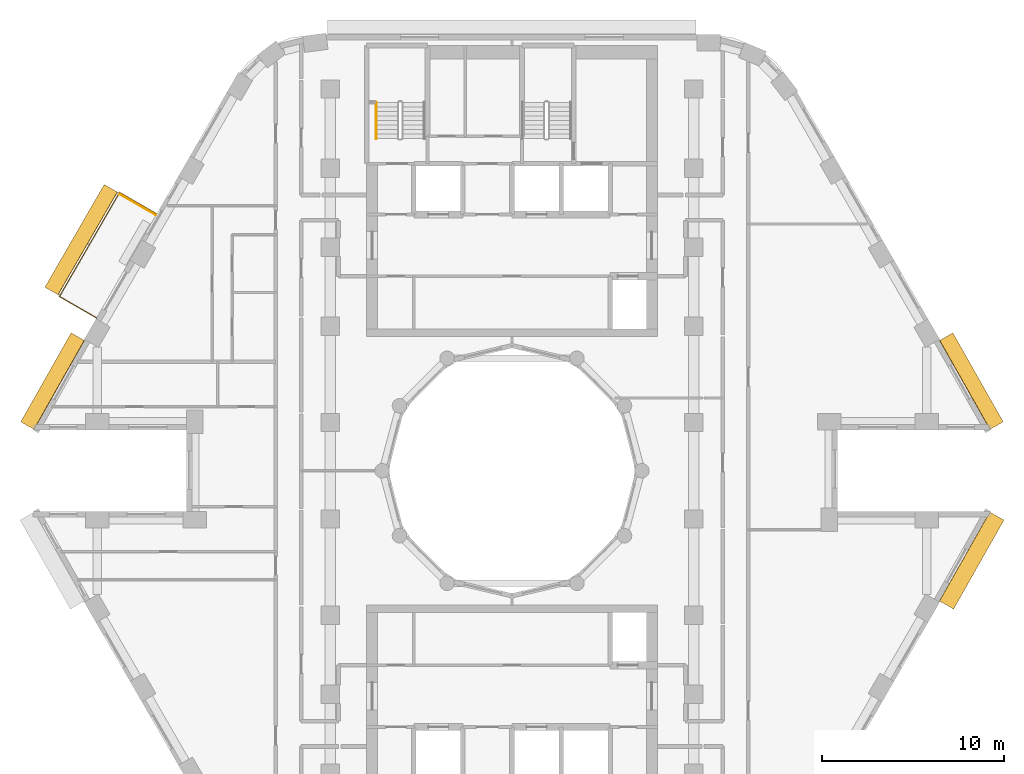
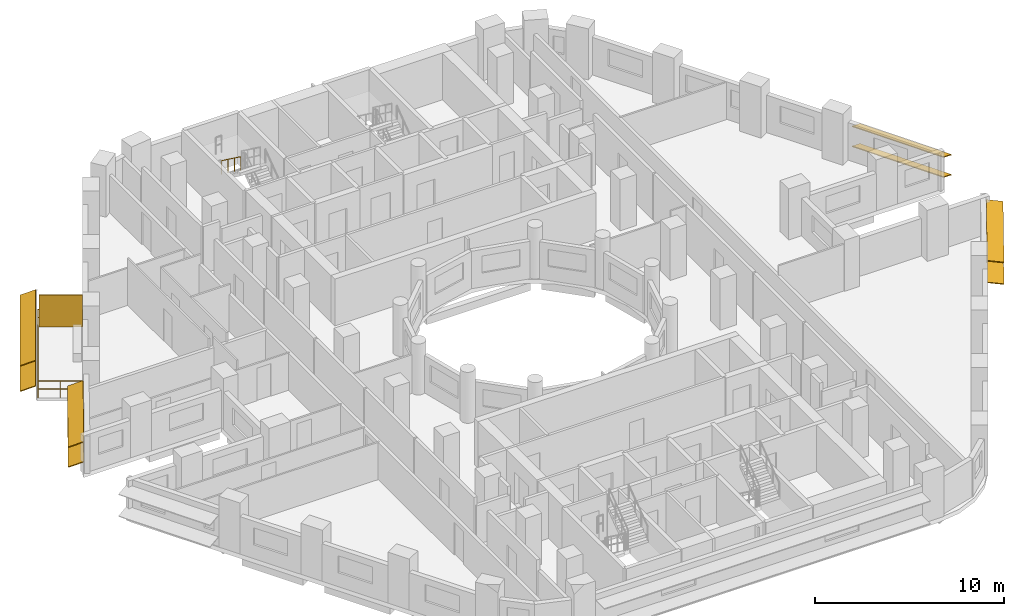
# One storey, part 12 of 13: 9 shading devices, 2 railings.
"""IFC4 building model written with IfcOpenShell, lengths in metres."""

from ifc_helpers import new_model, si_unit, direction, frame, origin, origin_2d, place, context, subcontext, project, spatial, rectangle, circle, extrude, material, layer, layer_set, material_profile, profile_set, type_object, element, save


model = new_model("IFC4")

# Units and contexts
model_context = context("Model", 3, precision=1e-05, world=origin(), true_north=direction((0.0, 1.0)))
body_context = subcontext(model_context, "Body", "Model", "MODEL_VIEW")
ifc_project = project(units=[si_unit("LENGTHUNIT", "METRE"), si_unit("AREAUNIT", "SQUARE_METRE"), si_unit("VOLUMEUNIT", "CUBIC_METRE"), si_unit("PLANEANGLEUNIT", "RADIAN"), si_unit("MASSUNIT", "GRAM", prefix="KILO")], contexts=[model_context])

# Site, building, storey
site_placement = place(None, origin())
site = spatial("IfcSite", under=ifc_project, at=site_placement, CompositionType="ELEMENT")
building_placement = place(site_placement, origin())
building = spatial("IfcBuilding", under=site, at=building_placement, Name="Nakaniwa Court", CompositionType="ELEMENT")
storey_placement = place(building_placement, frame((0.0, 0.0, 137.10009765625)))
storey = spatial("IfcBuildingStorey", under=building, at=storey_placement, Name="L35", CompositionType="ELEMENT", Elevation=137.10009765625)

# Railing
ifc_material_1 = material(Name="Black powder-coated steel flat bar balustrade S275", Category="steel")
railing_type_1 = type_object("IfcRailingType", Name="Black metal balcony guard 1100", PredefinedType="GUARDRAIL", material=ifc_material_1)
railing_1_placement = place(storey_placement, frame((60.44677734375, 94.133056640625, -0.050048828125)))
element("IfcRailing", 1, at=railing_1_placement, inside=storey, type_object=railing_type_1, Name="L35 balcony guard 01", PredefinedType="GUARDRAIL", context=body_context, shape_type="SweptSolid", body=[
    extrude(circle(Radius=0.02392578125, at=origin_2d()), frame((0.0, 0.0, 1.076171875), z_axis=(-0.866025363618, 0.50000006957, 0.0), x_axis=(-0.50000006957, -0.866025363618, 0.0)), (0.0, 0.0, 1.0), 2.35986328125),
    extrude(circle(Radius=0.02392578125, at=origin_2d()), frame((0.0, 0.0, 0.550048828125), z_axis=(-0.866025363618, 0.50000006957, 0.0), x_axis=(-0.50000006957, -0.866025363618, 0.0)), (0.0, 0.0, 1.0), 2.35986328125),
    extrude(circle(Radius=0.02392578125, at=origin_2d()), frame((-2.043701171875, 1.179931640625, 1.076171875), z_axis=(-0.500004921708, -0.866022562216, 0.0), x_axis=(0.866022562216, -0.500004921708, 0.0)), (0.0, 0.0, 1.0), 6.60888671875),
    extrude(circle(Radius=0.02392578125, at=origin_2d()), frame((-2.043701171875, 1.179931640625, 0.550048828125), z_axis=(-0.500004921708, -0.866022562216, 0.0), x_axis=(0.866022562216, -0.500004921708, 0.0)), (0.0, 0.0, 1.0), 6.60888671875),
    extrude(circle(Radius=0.02392578125, at=origin_2d()), frame((-5.34814453125, -4.54345703125, 1.076171875), z_axis=(0.866006432019, -0.500032858622, 0.0), x_axis=(0.500032858622, 0.866006432019, 0.0)), (0.0, 0.0, 1.0), 2.360107421875),
    extrude(circle(Radius=0.02392578125, at=origin_2d()), frame((-5.34814453125, -4.54345703125, 0.550048828125), z_axis=(0.866006432019, -0.500032858622, 0.0), x_axis=(0.500032858622, 0.866006432019, 0.0)), (0.0, 0.0, 1.0), 2.360107421875),
    extrude(circle(Radius=0.02099609375, at=origin_2d()), origin(), (0.0, 0.0, 1.0), 1.052001953125),
    extrude(circle(Radius=0.02099609375, at=origin_2d()), frame((-1.02197265625, 0.58984375, 0.0)), (0.0, 0.0, 1.0), 1.052001953125),
    extrude(circle(Radius=0.02099609375, at=origin_2d()), frame((-2.043701171875, 1.179931640625, 0.0)), (0.0, 0.0, 1.0), 1.052001953125),
    extrude(circle(Radius=0.02099609375, at=origin_2d()), frame((-2.594482421875, 0.22607421875, 0.0)), (0.0, 0.0, 1.0), 1.052001953125),
    extrude(circle(Radius=0.02099609375, at=origin_2d()), frame((-3.145263671875, -0.727783203125, 0.0)), (0.0, 0.0, 1.0), 1.052001953125),
    extrude(circle(Radius=0.02099609375, at=origin_2d()), frame((-3.69580078125, -1.681640625, 0.0)), (0.0, 0.0, 1.0), 1.052001953125),
    extrude(circle(Radius=0.02099609375, at=origin_2d()), frame((-4.24658203125, -2.6357421875, 0.0)), (0.0, 0.0, 1.0), 1.052001953125),
    extrude(circle(Radius=0.02099609375, at=origin_2d()), frame((-4.79736328125, -3.589599609375, 0.0)), (0.0, 0.0, 1.0), 1.052001953125),
    extrude(circle(Radius=0.02099609375, at=origin_2d()), frame((-5.34814453125, -4.54345703125, 0.0)), (0.0, 0.0, 1.0), 1.052001953125),
    extrude(circle(Radius=0.02099609375, at=origin_2d()), frame((-4.326171875, -5.133544921875, 0.0)), (0.0, 0.0, 1.0), 1.052001953125),
    extrude(circle(Radius=0.02099609375, at=origin_2d()), frame((-3.30419921875, -5.7236328125, 0.0)), (0.0, 0.0, 1.0), 1.052001953125),
])

# Shading devices
ifc_material_2 = material(Name="Black powder-coated aluminium slat screen", Category="aluminium")
ifc_layer = layer(ifc_material_2, 0.0400390625)
ifc_layer_set = layer_set([ifc_layer], Name="Black powder-coated aluminium slat screen")
shading_device_type_1 = type_object("IfcShadingDeviceType", Name="Koshi screen black metal", PredefinedType="USERDEFINED", material=ifc_layer_set)
shading_device_placement = place(storey_placement, frame((59.406494140625, 94.64111328125, -0.050048828125), z_axis=(0.0, 0.0, 1.0), x_axis=(-0.499975815814, -0.866039366081, 0.0)))
element("IfcShadingDevice", 2, at=shading_device_placement, inside=storey, type_object=shading_device_type_1, Name="L35 balcony SCREEN 01 W", ObjectType="KOSHI SCREEN", PredefinedType="USERDEFINED", context=body_context, shape_type="SweptSolid", body=[
    extrude(rectangle(XDim=0.0400390625, YDim=2.31005859375, at=origin_2d()), origin(), (0.0, 0.0, 1.0), 2.10009765625),
])
ifc_material_3 = material(Name="Perforated charcoal ceramic louvre blade")
ifc_material_profile = material_profile(ifc_material_3, rectangle(XDim=0.89990234375, YDim=0.050048828125, at=origin_2d()), Name="Perforated ceramic louvre blade")
ifc_profile_set = profile_set([ifc_material_profile], Name="Perforated charcoal ceramic louvre blade")
shading_device_type_2 = type_object("IfcShadingDeviceType", Name="Perforated ceramic louvre blade", PredefinedType="JALOUSIE", material=ifc_profile_set)
for number, where, z_axis, x_axis, name in (
    (3, (57.927978515625, 95.541015625, 0.5), (-0.499959831567, -0.866048593798, 0.0), (0.80012456997, -0.461902655462, 0.382683432365), "L35 perforated ceramic louvre blade 01 1"),
    (4, (57.927978515625, 95.541015625, 2.14990234375), (-0.499959831567, -0.866048593798, 0.0), (0.80012456997, -0.461902655462, 0.382683432365), "L35 perforated ceramic louvre blade 01 2"),
):
    element("IfcShadingDevice", number, at=place(storey_placement, frame(where, z_axis=z_axis, x_axis=x_axis)), inside=storey, type_object=shading_device_type_2, Name=name, PredefinedType="JALOUSIE", context=body_context, shape_type="SweptSolid", body=[
        extrude(rectangle(XDim=0.89990234375, YDim=0.050048828125, at=origin_2d()), origin(), (0.0, 0.0, 1.0), 6.52880859375),
    ])
for number, where, z_axis, x_axis, name in (
    (5, (106.662353515625, 82.48046875, 0.5498046875), (-0.49253187421, 0.870294405869, 0.0), (-0.804627241022, -0.455368390728, 0.38107037635), "L35 perforated ceramic louvre blade w02 1"),
    (6, (106.662353515625, 82.48046875, 1.84521484375), (-0.49253187421, 0.870294405869, 0.0), (-0.804627241022, -0.455368390728, 0.38107037635), "L35 perforated ceramic louvre blade w02 2"),
    (7, (56.10888671875, 87.377197265625, 0.5498046875), (-0.49253187421, -0.870294405869, 0.0), (0.804627241022, -0.455368390728, 0.38107037635), "L35 perforated ceramic louvre blade w14 1"),
    (8, (56.10888671875, 87.377197265625, 1.84521484375), (-0.49253187421, -0.870294405869, 0.0), (0.804627241022, -0.455368390728, 0.38107037635), "L35 perforated ceramic louvre blade w14 2"),
    (9, (103.911865234375, 72.611083984375, 0.5498046875), (0.49253187421, 0.870294405869, 0.0), (-0.862649339692, 0.488205247786, 0.132256390257), "L35 perforated ceramic louvre blade w32 1"),
    (10, (103.911865234375, 72.611083984375, 1.95556640625), (0.49253187421, 0.870294405869, 0.0), (-0.862649339692, 0.488205247786, 0.132256390257), "L35 perforated ceramic louvre blade w32 2"),
):
    element("IfcShadingDevice", number, at=place(storey_placement, frame(where, z_axis=z_axis, x_axis=x_axis)), inside=storey, type_object=shading_device_type_2, Name=name, PredefinedType="JALOUSIE", context=body_context, shape_type="SweptSolid", body=[
        extrude(rectangle(XDim=0.89990234375, YDim=0.050048828125, at=origin_2d()), origin(), (0.0, 0.0, 1.0), 5.62646484375),
    ])

# Railing
ifc_material_4 = material(Name="Black powder coated steel handrail", Category="steel")
railing_type_2 = type_object("IfcRailingType", Name="Stair handrail 900", PredefinedType="HANDRAIL", material=ifc_material_4)
railing_2_placement = place(storey_placement, frame((72.52490234375, 100.27490234375, 1.833251953125)))
element("IfcRailing", 11, at=railing_2_placement, inside=storey, type_object=railing_type_2, Name="L35 ST1 stair handrail 2", PredefinedType="HANDRAIL", context=body_context, shape_type="SweptSolid", body=[
    extrude(circle(Radius=0.02392578125, at=origin_2d()), frame((0.0, 0.0, 0.8759765625), z_axis=(0.0, -0.806426902644, 0.591333789573), x_axis=(1.0, 0.0, 0.0)), (0.0, 0.0, 1.0), 2.47998046875),
    extrude(circle(Radius=0.02099609375, at=origin_2d()), origin(), (0.0, 0.0, 1.0), 0.851806640625),
    extrude(circle(Radius=0.02099609375, at=origin_2d()), frame((0.0, -0.666748046875, 0.48876953125)), (0.0, 0.0, 1.0), 0.851806640625),
    extrude(circle(Radius=0.02099609375, at=origin_2d()), frame((0.0, -1.333251953125, 0.977783203125)), (0.0, 0.0, 1.0), 0.851806640625),
    extrude(circle(Radius=0.02099609375, at=origin_2d()), frame((0.0, -2.0, 1.466552734375)), (0.0, 0.0, 1.0), 0.851806640625),
])

save(model, "model.ifc")
